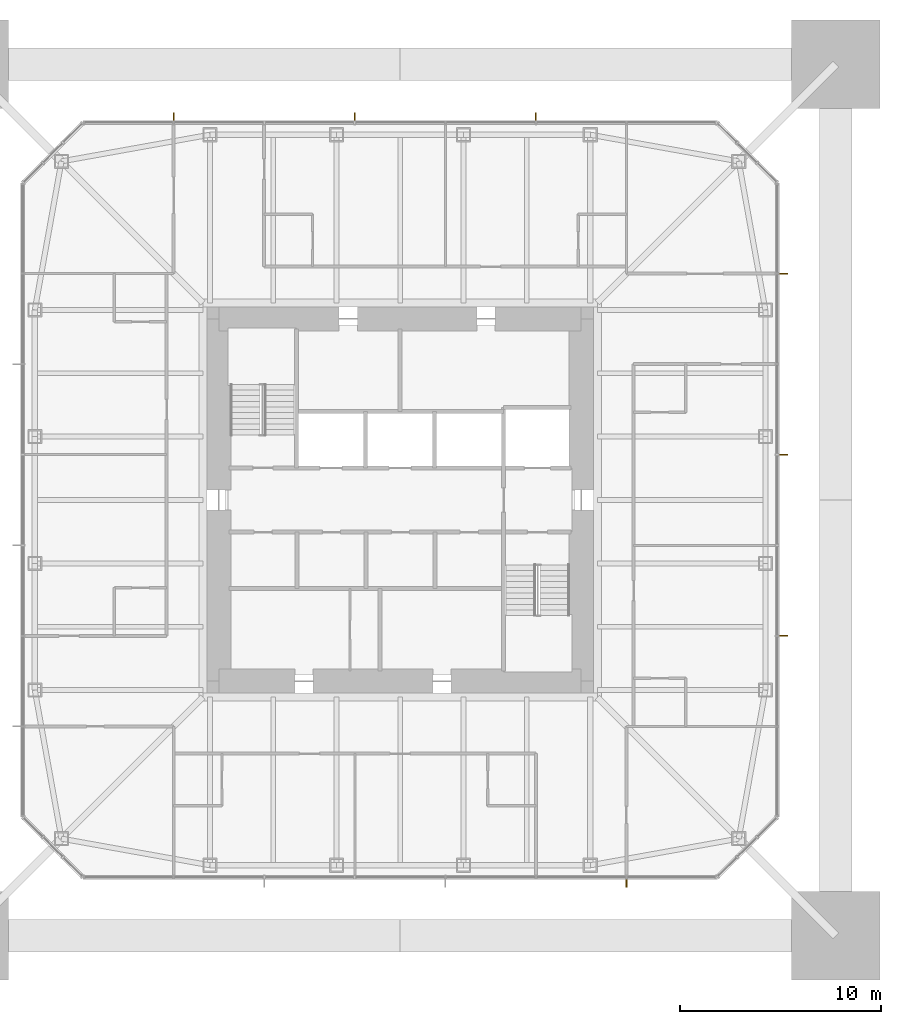
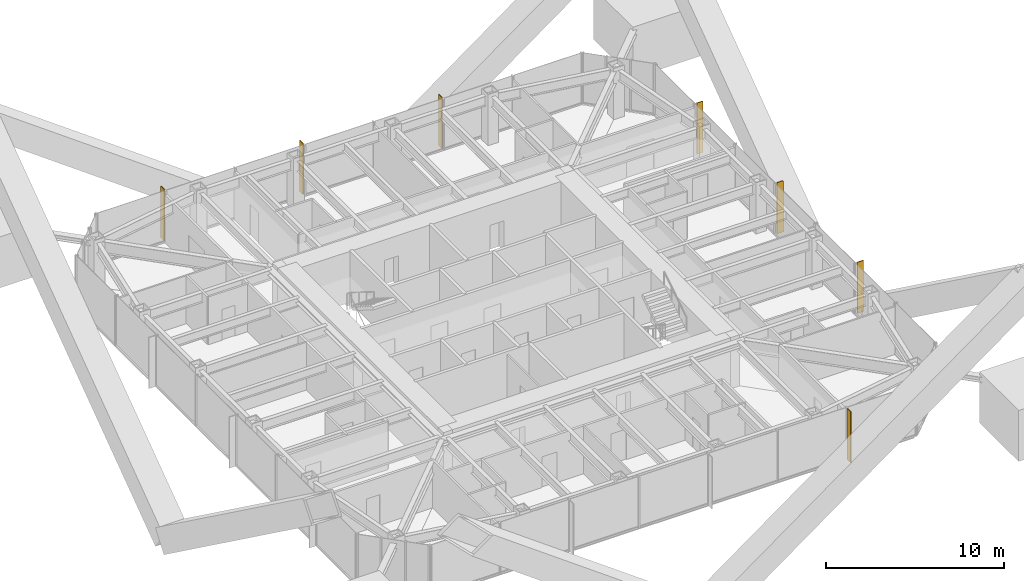
# One storey, part 13 of 13: 7 shading devices.
"""IFC4 building model written with IfcOpenShell, lengths in metres."""

from ifc_helpers import new_model, si_unit, direction, frame, origin, origin_2d, place, context, subcontext, project, spatial, rectangle, extrude, material, layer, layer_set, type_object, element, save


model = new_model("IFC4")

# Units and contexts
model_context = context("Model", 3, precision=1e-05, world=origin(), true_north=direction((0.0, 1.0)))
body_context = subcontext(model_context, "Body", "Model", "MODEL_VIEW")
ifc_project = project(units=[si_unit("LENGTHUNIT", "METRE"), si_unit("AREAUNIT", "SQUARE_METRE"), si_unit("VOLUMEUNIT", "CUBIC_METRE"), si_unit("PLANEANGLEUNIT", "RADIAN"), si_unit("MASSUNIT", "GRAM", prefix="KILO")], contexts=[model_context])

# Site, building, storey
site_placement = place(None, origin())
site = spatial("IfcSite", under=ifc_project, at=site_placement, CompositionType="ELEMENT")
building_placement = place(site_placement, origin())
building = spatial("IfcBuilding", under=site, at=building_placement, Name="Iwan Alto Co-Living Towers", CompositionType="ELEMENT")
storey_placement = place(building_placement, frame((0.0, 0.0, 198.5)))
storey = spatial("IfcBuildingStorey", under=building, at=storey_placement, Name="L54", CompositionType="ELEMENT", Elevation=198.5)

# Shading devices
ifc_material = material(Name="Aluminium 6063-T6 bronze anodised", Category="aluminium")
ifc_layer = layer(ifc_material, 0.050048828125)
ifc_layer_set = layer_set([ifc_layer], Name="BRONZE FIN 50X400")
shading_device_type = type_object("IfcShadingDeviceType", Name="BRONZE FIN 50X400", PredefinedType="USERDEFINED", material=ifc_layer_set)
for number, where, z_axis, x_axis, name in (
    (1, (11.25, -19.050048828125, 0.0), (0.0, 0.0, 1.0), (1.0, 0.0, 0.0), "Bronze fin L54"),
    (2, (19.050048828125, -6.75, 0.0), (0.0, 0.0, 1.0), (0.0, 1.0, 0.0), "Bronze fin L54"),
    (3, (19.050048828125, 2.25, 0.0), (0.0, 0.0, 1.0), (0.0, 1.0, 0.0), "Bronze fin L54"),
    (4, (19.050048828125, 11.25, 0.0), (0.0, 0.0, 1.0), (0.0, 1.0, 0.0), "Bronze fin L54"),
    (5, (6.75, 19.050048828125, 0.0), (0.0, 0.0, 1.0), (-1.0, 0.0, 0.0), "Bronze fin L54"),
    (6, (-2.25, 19.050048828125, 0.0), (0.0, 0.0, 1.0), (-1.0, 0.0, 0.0), "Bronze fin L54"),
    (7, (-11.25, 19.050048828125, 0.0), (0.0, 0.0, 1.0), (-1.0, 0.0, 0.0), "Bronze fin L54"),
):
    element("IfcShadingDevice", number, at=place(storey_placement, frame(where, z_axis=z_axis, x_axis=x_axis)), inside=storey, type_object=shading_device_type, Name=name, ObjectType="LOUVER", PredefinedType="USERDEFINED", context=body_context, shape_type="SweptSolid", body=[
        extrude(rectangle(XDim=0.050048828125, YDim=0.39990234375, at=origin_2d()), origin(), (0.0, 0.0, 1.0), 3.5),
    ])

save(model, "model.ifc")
